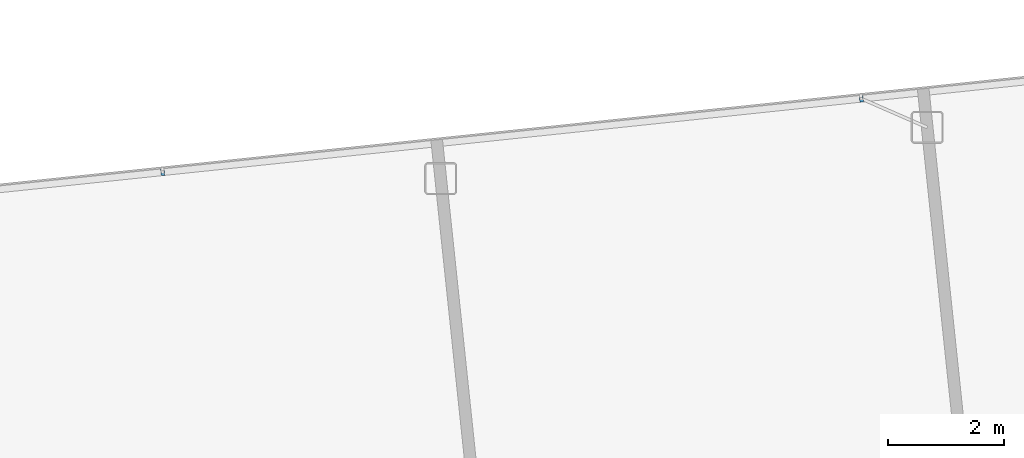
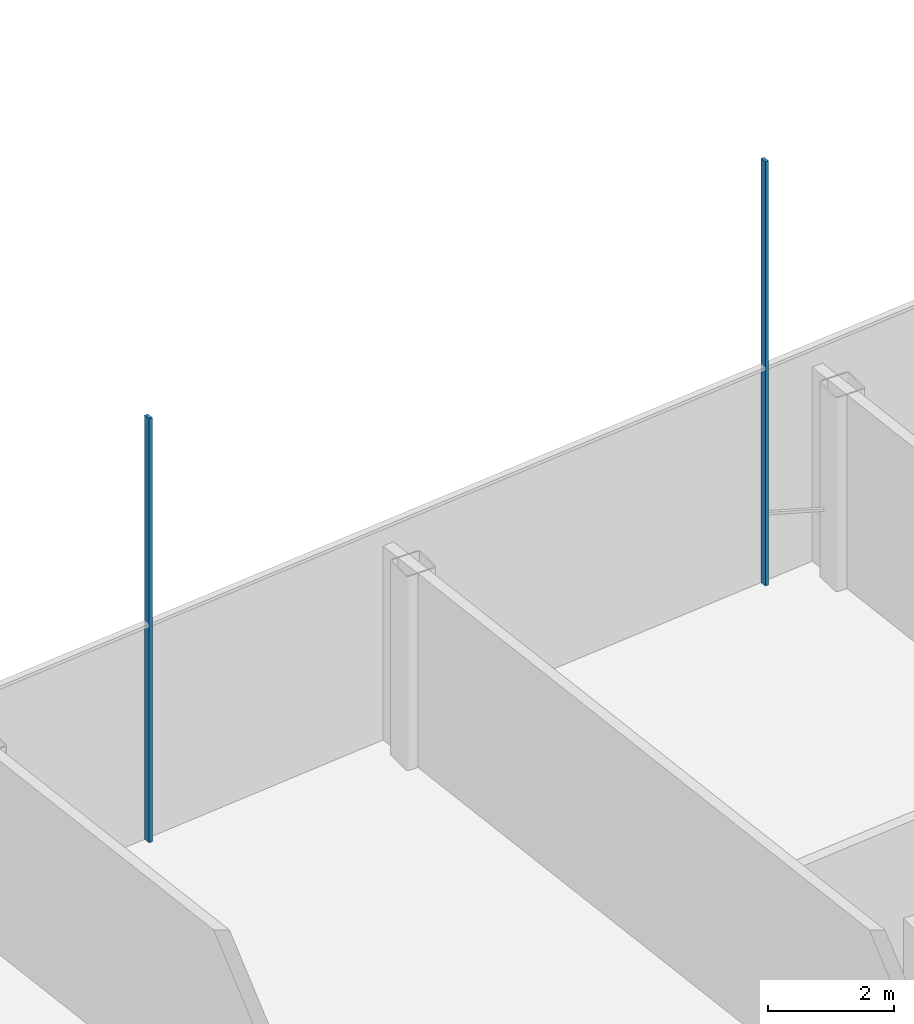
# One storey, part 12 of 41: 2 members, 1 element without a shape of its own.
"""IFC4 building model written with IfcOpenShell, lengths in metres."""

from ifc_helpers import new_model, si_unit, direction, frame, origin, origin_2d, place, context, subcontext, project, spatial, rectangle, extrude, material, layer, layer_set, material_profile, profile_set, type_object, element, aggregate, save


model = new_model("IFC4")

# Units and contexts
model_context = context("Model", 3, precision=1e-05, world=origin(), true_north=direction((0.0, 1.0)))
body_context = subcontext(model_context, "Body", "Model", "MODEL_VIEW")
ifc_project = project(units=[si_unit("LENGTHUNIT", "METRE"), si_unit("AREAUNIT", "SQUARE_METRE"), si_unit("VOLUMEUNIT", "CUBIC_METRE"), si_unit("PLANEANGLEUNIT", "RADIAN"), si_unit("MASSUNIT", "GRAM", prefix="KILO")], contexts=[model_context])

# Site, building, storey
site_placement = place(None, origin())
site = spatial("IfcSite", under=ifc_project, at=site_placement, CompositionType="ELEMENT")
building_placement = place(site_placement, origin())
building = spatial("IfcBuilding", under=site, at=building_placement, Name="Hakoniwa Tower and Hamabe Station Hall", CompositionType="ELEMENT")
storey_placement = place(building_placement, frame((0.0, 0.0, 276.60009765625)))
storey = spatial("IfcBuildingStorey", under=building, at=storey_placement, Name="L77", CompositionType="ELEMENT", Elevation=276.60009765625)

# Curtain wall, members
ifc_material_1 = material(Name="Dark low-e laminated glass", Category="glass")
ifc_layer = layer(ifc_material_1, 0.199951171875)
ifc_layer_set = layer_set([ifc_layer], Name="CW-4 CROWN FACETS")
curtain_wall_type = type_object("IfcCurtainWallType", Name="CW-4 CROWN FACETS", PredefinedType="NOTDEFINED", material=ifc_layer_set)
curtain_wall_placement = place(storey_placement, origin())
curtain_wall = element("IfcCurtainWall", 1, at=curtain_wall_placement, inside=storey, type_object=curtain_wall_type, Name="Crown skirt facet L77", PredefinedType="NOTDEFINED")
ifc_material_2 = material(Name="Aluminium 6063-T5 black anodised", Category="aluminium")
ifc_material_profile = material_profile(ifc_material_2, rectangle(XDim=0.06005859375, YDim=0.1201171875, at=origin_2d()), Name="CW-4 GLAZING BAR 60X120")
ifc_profile_set = profile_set([ifc_material_profile], Name="Aluminium 6063-T5 black anodised")
member_type = type_object("IfcMemberType", Name="CW-4 GLAZING BAR 60X120", PredefinedType="MULLION", material=ifc_profile_set)
member_1_placement = place(storey_placement, frame((10.1982421875, 20.876708984375, 0.0), z_axis=(0.0, 0.0, 1.0), x_axis=(0.994521896233, 0.10452845504, 0.0)))
member_1 = element("IfcMember", 2, at=member_1_placement, type_object=member_type, Name="Crown glazing bar", PredefinedType="MULLION", context=body_context, shape_type="SweptSolid", body=[
    extrude(rectangle(XDim=0.06005859375, YDim=0.1201171875, at=origin_2d()), origin(), (0.0, 0.0, 1.0), 8.199951171875),
])
member_2_placement = place(storey_placement, frame((22.195556640625, 22.1376953125, 0.0), z_axis=(0.0, 0.0, 1.0), x_axis=(0.994521896233, 0.10452845504, 0.0)))
member_2 = element("IfcMember", 3, at=member_2_placement, type_object=member_type, Name="Crown glazing bar", PredefinedType="MULLION", context=body_context, shape_type="SweptSolid", body=[
    extrude(rectangle(XDim=0.06005859375, YDim=0.1201171875, at=origin_2d()), origin(), (0.0, 0.0, 1.0), 8.199951171875),
])
aggregate(curtain_wall, [member_1, member_2])

save(model, "model.ifc")
